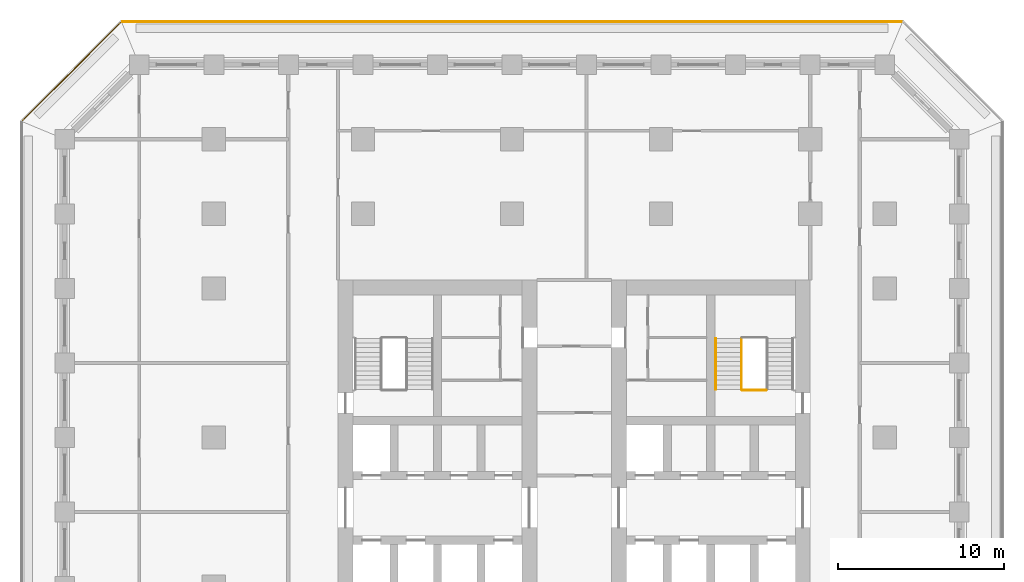
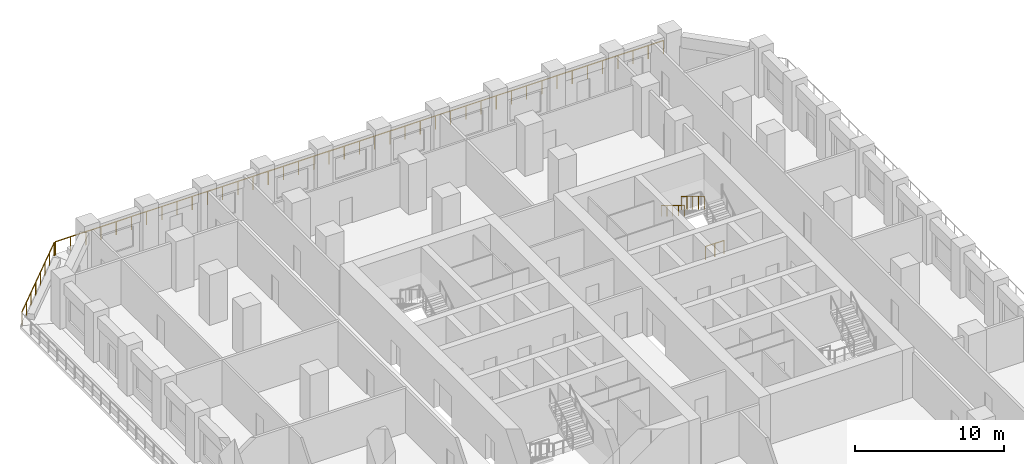
# One storey, part 14 of 16: 5 railings.
"""IFC4 building model written with IfcOpenShell, lengths in metres."""

import ifcopenshell
import ifcopenshell.guid

model = None  # the IFC model being written
_history = None  # IfcOwnerHistory: only IFC2X3 demands one
_inside = {}  # id of a spatial element -> (the spatial element, [elements in it])
_under = {}  # id of a project, library or spatial element -> (it, [spatial elements below it])
_declared = {}  # id of a project -> (the project, [libraries it declares])
_typed = {}  # id of a type object -> (the type object, [elements of that type])
_made_of = {}  # id of a material, layer set ... -> (it, [elements and type objects made of it])


def new_model(schema):
    """Start an empty IFC model of exactly this schema.

    Asked for "IFC4X3", IfcOpenShell would pick the latest addendum, in which some entities
    have other attributes; the version numbers below select the first issue.
    IFC2X3 requires an IfcOwnerHistory on every rooted entity: one is made here for all.
    """
    global model, _history
    if schema == "IFC4X3":
        model = ifcopenshell.file(schema_version=(4, 3, 0, 0))
    else:
        model = ifcopenshell.file(schema=schema)
    _inside.clear()
    _under.clear()
    _declared.clear()
    _typed.clear()
    _made_of.clear()
    _history = None
    if model.schema == "IFC2X3":
        org = make("IfcOrganization", Name="unknown")
        user = make(
            "IfcPersonAndOrganization",
            ThePerson=make("IfcPerson", FamilyName="unknown"),
            TheOrganization=org,
        )
        app = make(
            "IfcApplication",
            ApplicationDeveloper=org,
            Version="unknown",
            ApplicationFullName="unknown",
            ApplicationIdentifier="unknown",
        )
        _history = make(
            "IfcOwnerHistory",
            OwningUser=user,
            OwningApplication=app,
            ChangeAction="ADDED",
            CreationDate=0,
        )
    return model


def make(cls, **values):
    """One entity of the class cls with the attributes given. An attribute that is None is left unset."""
    return model.create_entity(
        cls, **{name: value for name, value in values.items() if value is not None}
    )


def rooted(cls, **values):
    """An entity with a GlobalId (a new one), such as an element, a storey or a relation."""
    return make(cls, GlobalId=ifcopenshell.guid.new(), OwnerHistory=_history, **values)


def si_unit(unit_type, name, prefix=None):
    """IfcSIUnit, for example si_unit("LENGTHUNIT", "METRE", prefix="MILLI")."""
    return make("IfcSIUnit", UnitType=unit_type, Prefix=prefix, Name=name)


def assignment(units):
    """IfcUnitAssignment: the units of a project."""
    return None if units is None else make("IfcUnitAssignment", Units=units)


def point(xyz):
    """IfcCartesianPoint."""
    return None if xyz is None else make("IfcCartesianPoint", Coordinates=xyz)


def direction(xyz):
    """IfcDirection."""
    return None if xyz is None else make("IfcDirection", DirectionRatios=xyz)


def frame(location, z_axis=None, x_axis=None):
    """IfcAxis2Placement3D, a coordinate frame: its origin and axes. An axis left out is left unset."""
    return make(
        "IfcAxis2Placement3D",
        Location=point(location),
        Axis=direction(z_axis),
        RefDirection=direction(x_axis),
    )


def frame_2d(location, x_axis=None):
    """IfcAxis2Placement2D, a coordinate frame in the plane: its origin and x axis."""
    return make(
        "IfcAxis2Placement2D", Location=point(location), RefDirection=direction(x_axis)
    )


def origin():
    """The frame at (0, 0, 0) with its axes left unset."""
    return frame((0.0, 0.0, 0.0))


def origin_2d():
    """The frame at (0, 0) in the plane with its x axis left unset."""
    return frame_2d((0.0, 0.0))


def place(relative_to, where):
    """IfcLocalPlacement: puts the frame where relative to a parent placement (None: the world)."""
    return make(
        "IfcLocalPlacement", PlacementRelTo=relative_to, RelativePlacement=where
    )


def context(
    kind, dimensions, precision=None, world=None, true_north=None, identifier=None
):
    """IfcGeometricRepresentationContext, for example the 3D "Model" context."""
    return make(
        "IfcGeometricRepresentationContext",
        ContextIdentifier=identifier,
        ContextType=kind,
        CoordinateSpaceDimension=dimensions,
        Precision=precision,
        WorldCoordinateSystem=world,
        TrueNorth=true_north,
    )


def subcontext(parent, identifier, kind, view, scale=None):
    """IfcGeometricRepresentationSubContext, for example "Body" below "Model"."""
    return make(
        "IfcGeometricRepresentationSubContext",
        ContextIdentifier=identifier,
        ContextType=kind,
        ParentContext=parent,
        TargetScale=scale,
        TargetView=view,
    )


def project(units=None, contexts=None):
    """IfcProject with its units and contexts."""
    return rooted(
        "IfcProject",
        Name="project",
        RepresentationContexts=contexts,
        UnitsInContext=assignment(units),
    )


def spatial(cls, under=None, at=None, **own):
    """A site, building, storey or space (cls), placed at a placement, below another one or the project."""
    s = rooted(cls, ObjectPlacement=at, **own)
    if under is not None:
        _under.setdefault(under.id(), (under, []))[1].append(s)
    return s


def profile(cls, at=None, kind="AREA", **sizes):
    """A parametric profile (cls). Its sizes go by their IFC names, for example OverallWidth=200.0."""
    return make(cls, ProfileType=kind, Position=at, **sizes)


def circle(**sizes):
    """IfcCircleProfileDef."""
    return profile("IfcCircleProfileDef", **sizes)


def extrude(swept, where, along, depth):
    """IfcExtrudedAreaSolid: the profile swept, set in the frame where, extruded along a direction by depth."""
    return make(
        "IfcExtrudedAreaSolid",
        SweptArea=swept,
        Position=where,
        ExtrudedDirection=direction(along),
        Depth=depth,
    )


def shape(context_of_items, identifier, shape_type, items):
    """IfcShapeRepresentation: the items that make up one representation, for example the "Body"."""
    return make(
        "IfcShapeRepresentation",
        ContextOfItems=context_of_items,
        RepresentationIdentifier=identifier,
        RepresentationType=shape_type,
        Items=items,
    )


def material(Name=None, Category=None):
    """IfcMaterial."""
    return make("IfcMaterial", Name=Name, Category=Category)


def made_of(thing, what):
    """Note that an element or type object is made of a material, layer set ...; save() writes the relation."""
    if what is not None:
        _made_of.setdefault(what.id(), (what, []))[1].append(thing)
    return thing


def type_object(cls, material=None, **own):
    """A type object (cls), such as IfcWallType, which elements share."""
    return made_of(rooted(cls, **own), material)


def element(
    cls,
    number,
    at=None,
    inside=None,
    cuts=None,
    type_object=None,
    material=None,
    context=None,
    identifier="Body",
    shape_type=None,
    held_by="IfcProductDefinitionShape",
    body=None,
    shapes=None,
    **own,
):
    """One element of the class cls, such as IfcWall. Its Tag is "e" and its number.

    at: its placement. inside: the storey or other place that contains it. cuts: it is an
    opening in that element (IfcRelVoidsElement). A single representation is given by context,
    identifier, shape_type and body (its items); several are given by shapes. held_by: the class
    of the entity that holds the representations. save() writes the other relations.
    """
    e = rooted(cls, Tag="e%d" % number, ObjectPlacement=at, **own)
    if body is not None:
        shapes = [shape(context, identifier, shape_type, body)]
    if shapes is not None:
        e.Representation = make(held_by, Representations=shapes)
    if inside is not None:
        _inside.setdefault(inside.id(), (inside, []))[1].append(e)
    if cuts is not None:
        rooted(
            "IfcRelVoidsElement", RelatingBuildingElement=cuts, RelatedOpeningElement=e
        )
    if type_object is not None:
        _typed.setdefault(type_object.id(), (type_object, []))[1].append(e)
    return made_of(e, material)


def aggregate(whole, parts):
    """IfcRelAggregates: a whole, such as a stair, and the parts it consists of."""
    return rooted("IfcRelAggregates", RelatingObject=whole, RelatedObjects=parts)


def save(model, path):
    """Write the relations noted so far, then the file.

    IfcRelAggregates (storeys below a building ...), IfcRelContainedInSpatialStructure (elements
    in a storey), IfcRelDefinesByType, IfcRelAssociatesMaterial and IfcRelDeclares: one each for
    every whole, place, type object, material and project.
    """
    for whole, parts in _under.values():
        aggregate(whole, parts)
    for where, things in _inside.values():
        rooted(
            "IfcRelContainedInSpatialStructure",
            RelatedElements=things,
            RelatingStructure=where,
        )
    for kind, things in _typed.values():
        rooted("IfcRelDefinesByType", RelatedObjects=things, RelatingType=kind)
    for what, things in _made_of.values():
        rooted("IfcRelAssociatesMaterial", RelatedObjects=things, RelatingMaterial=what)
    for by, libraries in _declared.values():
        rooted("IfcRelDeclares", RelatingContext=by, RelatedDefinitions=libraries)
    model.write(path)


model = new_model("IFC4")

# Units and contexts
model_context = context("Model", 3, precision=1e-05, world=origin(), true_north=direction((0.0, 1.0)))
body_context = subcontext(model_context, "Body", "Model", "MODEL_VIEW")
ifc_project = project(units=[si_unit("LENGTHUNIT", "METRE"), si_unit("AREAUNIT", "SQUARE_METRE"), si_unit("VOLUMEUNIT", "CUBIC_METRE"), si_unit("PLANEANGLEUNIT", "RADIAN"), si_unit("MASSUNIT", "GRAM", prefix="KILO")], contexts=[model_context])

# Site, building, storey
site_placement = place(None, origin())
site = spatial("IfcSite", under=ifc_project, at=site_placement, CompositionType="ELEMENT")
building_placement = place(site_placement, origin())
building = spatial("IfcBuilding", under=site, at=building_placement, Name="Corbel Stack Research Tower", CompositionType="ELEMENT")
storey_placement = place(building_placement, frame((0.0, 0.0, 137.199951171875)))
storey = spatial("IfcBuildingStorey", under=building, at=storey_placement, Name="L31", CompositionType="ELEMENT", Elevation=137.199951171875)

# Railings
ifc_material_1 = material(Name="Steel S355", Category="steel")
railing_type_1 = type_object("IfcRailingType", Name="Stair guard 1100", PredefinedType="GUARDRAIL", material=ifc_material_1)
railing_1_placement = place(storey_placement, frame((13.85009765625, 14.97998046875, 2.220947265625)))
element("IfcRailing", 1, at=railing_1_placement, inside=storey, type_object=railing_type_1, Name="L31 ST-E2 stair guard 4", PredefinedType="GUARDRAIL", context=body_context, shape_type="SweptSolid", body=[
    extrude(circle(Radius=0.02392578125, at=origin_2d()), frame((0.0, 0.0, 1.076171875), z_axis=(0.0, -0.853666305674, 0.52082035152), x_axis=(1.0, 0.0, 0.0)), (0.0, 0.0, 1.0), 3.608154296875),
    extrude(circle(Radius=0.02099609375, at=origin_2d()), origin(), (0.0, 0.0, 1.0), 1.052001953125),
    extrude(circle(Radius=0.02099609375, at=origin_2d()), frame((0.0, -0.77001953125, 0.4697265625)), (0.0, 0.0, 1.0), 1.052001953125),
    extrude(circle(Radius=0.02099609375, at=origin_2d()), frame((0.0, -1.5400390625, 0.939453125)), (0.0, 0.0, 1.0), 1.052001953125),
    extrude(circle(Radius=0.02099609375, at=origin_2d()), frame((0.0, -2.31005859375, 1.409423828125)), (0.0, 0.0, 1.0), 1.052001953125),
    extrude(circle(Radius=0.02099609375, at=origin_2d()), frame((0.0, -3.080078125, 1.879150390625)), (0.0, 0.0, 1.0), 1.052001953125),
])
railing_2_placement = place(storey_placement, frame((15.35009765625, 11.85009765625, 0.0)))
element("IfcRailing", 2, at=railing_2_placement, inside=storey, type_object=railing_type_1, Name="L31 ST-E2 stair guard 5", PredefinedType="GUARDRAIL", context=body_context, shape_type="SweptSolid", body=[
    extrude(circle(Radius=0.02392578125, at=origin_2d()), frame((0.0, 0.0, 1.076171875), z_axis=(-1.0, 0.0, 0.0), x_axis=(0.0, -1.0, 0.0)), (0.0, 0.0, 1.0), 1.4501953125),
    extrude(circle(Radius=0.02099609375, at=origin_2d()), origin(), (0.0, 0.0, 1.0), 1.052001953125),
    extrude(circle(Radius=0.02099609375, at=origin_2d()), frame((-0.72509765625, 0.0, 0.0)), (0.0, 0.0, 1.0), 1.052001953125),
    extrude(circle(Radius=0.02099609375, at=origin_2d()), frame((-1.4501953125, 0.0, 0.0)), (0.0, 0.0, 1.0), 1.052001953125),
])
ifc_material_2 = material(Name="Steel S355", Category="steel")
railing_type_2 = type_object("IfcRailingType", Name="Stair handrail 900", PredefinedType="HANDRAIL", material=ifc_material_2)
railing_3_placement = place(storey_placement, frame((12.300048828125, 14.97998046875, 2.220947265625)))
element("IfcRailing", 3, at=railing_3_placement, inside=storey, type_object=railing_type_2, Name="L31 ST-E2 stair handrail 2", PredefinedType="HANDRAIL", context=body_context, shape_type="SweptSolid", body=[
    extrude(circle(Radius=0.02392578125, at=origin_2d()), frame((0.0, 0.0, 0.8759765625), z_axis=(0.0, -0.853666305674, 0.52082035152), x_axis=(1.0, 0.0, 0.0)), (0.0, 0.0, 1.0), 3.608154296875),
    extrude(circle(Radius=0.02099609375, at=origin_2d()), origin(), (0.0, 0.0, 1.0), 0.851806640625),
    extrude(circle(Radius=0.02099609375, at=origin_2d()), frame((0.0, -0.77001953125, 0.4697265625)), (0.0, 0.0, 1.0), 0.851806640625),
    extrude(circle(Radius=0.02099609375, at=origin_2d()), frame((0.0, -1.5400390625, 0.939453125)), (0.0, 0.0, 1.0), 0.851806640625),
    extrude(circle(Radius=0.02099609375, at=origin_2d()), frame((0.0, -2.31005859375, 1.409423828125)), (0.0, 0.0, 1.0), 0.851806640625),
    extrude(circle(Radius=0.02099609375, at=origin_2d()), frame((0.0, -3.080078125, 1.879150390625)), (0.0, 0.0, 1.0), 0.851806640625),
])
ifc_material_3 = material(Name="Powder-coated steel guard", Category="steel")
railing_type_3 = type_object("IfcRailingType", Name="Steel and glass guard 1100", PredefinedType="GUARDRAIL", material=ifc_material_3)
railing_4_placement = place(storey_placement, frame((23.50537109375, 34.10009765625, 0.0)))
element("IfcRailing", 4, at=railing_4_placement, inside=storey, type_object=railing_type_3, Name="Loggia guard L31 N", PredefinedType="GUARDRAIL", context=body_context, shape_type="SweptSolid", body=[
    extrude(circle(Radius=0.02392578125, at=origin_2d()), frame((0.0, 0.0, 1.076171875), z_axis=(-1.0, 0.0, 0.0), x_axis=(0.0, -1.0, 0.0)), (0.0, 0.0, 1.0), 47.0107421875),
    extrude(circle(Radius=0.02099609375, at=origin_2d()), origin(), (0.0, 0.0, 1.0), 1.052001953125),
    extrude(circle(Radius=0.02099609375, at=origin_2d()), frame((-1.17529296875, 0.0, 0.0)), (0.0, 0.0, 1.0), 1.052001953125),
    extrude(circle(Radius=0.02099609375, at=origin_2d()), frame((-2.3505859375, 0.0, 0.0)), (0.0, 0.0, 1.0), 1.052001953125),
    extrude(circle(Radius=0.02099609375, at=origin_2d()), frame((-3.52587890625, 0.0, 0.0)), (0.0, 0.0, 1.0), 1.052001953125),
    extrude(circle(Radius=0.02099609375, at=origin_2d()), frame((-4.701171875, 0.0, 0.0)), (0.0, 0.0, 1.0), 1.052001953125),
    extrude(circle(Radius=0.02099609375, at=origin_2d()), frame((-5.87646484375, 0.0, 0.0)), (0.0, 0.0, 1.0), 1.052001953125),
    extrude(circle(Radius=0.02099609375, at=origin_2d()), frame((-7.051513671875, 0.0, 0.0)), (0.0, 0.0, 1.0), 1.052001953125),
    extrude(circle(Radius=0.02099609375, at=origin_2d()), frame((-8.226806640625, 0.0, 0.0)), (0.0, 0.0, 1.0), 1.052001953125),
    extrude(circle(Radius=0.02099609375, at=origin_2d()), frame((-9.402099609375, 0.0, 0.0)), (0.0, 0.0, 1.0), 1.052001953125),
    extrude(circle(Radius=0.02099609375, at=origin_2d()), frame((-10.577392578125, 0.0, 0.0)), (0.0, 0.0, 1.0), 1.052001953125),
    extrude(circle(Radius=0.02099609375, at=origin_2d()), frame((-11.752685546875, 0.0, 0.0)), (0.0, 0.0, 1.0), 1.052001953125),
    extrude(circle(Radius=0.02099609375, at=origin_2d()), frame((-12.927978515625, 0.0, 0.0)), (0.0, 0.0, 1.0), 1.052001953125),
    extrude(circle(Radius=0.02099609375, at=origin_2d()), frame((-14.103271484375, 0.0, 0.0)), (0.0, 0.0, 1.0), 1.052001953125),
    extrude(circle(Radius=0.02099609375, at=origin_2d()), frame((-15.278564453125, 0.0, 0.0)), (0.0, 0.0, 1.0), 1.052001953125),
    extrude(circle(Radius=0.02099609375, at=origin_2d()), frame((-16.453857421875, 0.0, 0.0)), (0.0, 0.0, 1.0), 1.052001953125),
    extrude(circle(Radius=0.02099609375, at=origin_2d()), frame((-17.62890625, 0.0, 0.0)), (0.0, 0.0, 1.0), 1.052001953125),
    extrude(circle(Radius=0.02099609375, at=origin_2d()), frame((-18.80419921875, 0.0, 0.0)), (0.0, 0.0, 1.0), 1.052001953125),
    extrude(circle(Radius=0.02099609375, at=origin_2d()), frame((-19.9794921875, 0.0, 0.0)), (0.0, 0.0, 1.0), 1.052001953125),
    extrude(circle(Radius=0.02099609375, at=origin_2d()), frame((-21.15478515625, 0.0, 0.0)), (0.0, 0.0, 1.0), 1.052001953125),
    extrude(circle(Radius=0.02099609375, at=origin_2d()), frame((-22.330078125, 0.0, 0.0)), (0.0, 0.0, 1.0), 1.052001953125),
    extrude(circle(Radius=0.02099609375, at=origin_2d()), frame((-23.50537109375, 0.0, 0.0)), (0.0, 0.0, 1.0), 1.052001953125),
    extrude(circle(Radius=0.02099609375, at=origin_2d()), frame((-24.6806640625, 0.0, 0.0)), (0.0, 0.0, 1.0), 1.052001953125),
    extrude(circle(Radius=0.02099609375, at=origin_2d()), frame((-25.85595703125, 0.0, 0.0)), (0.0, 0.0, 1.0), 1.052001953125),
    extrude(circle(Radius=0.02099609375, at=origin_2d()), frame((-27.03125, 0.0, 0.0)), (0.0, 0.0, 1.0), 1.052001953125),
    extrude(circle(Radius=0.02099609375, at=origin_2d()), frame((-28.20654296875, 0.0, 0.0)), (0.0, 0.0, 1.0), 1.052001953125),
    extrude(circle(Radius=0.02099609375, at=origin_2d()), frame((-29.3818359375, 0.0, 0.0)), (0.0, 0.0, 1.0), 1.052001953125),
    extrude(circle(Radius=0.02099609375, at=origin_2d()), frame((-30.556884765625, 0.0, 0.0)), (0.0, 0.0, 1.0), 1.052001953125),
    extrude(circle(Radius=0.02099609375, at=origin_2d()), frame((-31.732177734375, 0.0, 0.0)), (0.0, 0.0, 1.0), 1.052001953125),
    extrude(circle(Radius=0.02099609375, at=origin_2d()), frame((-32.907470703125, 0.0, 0.0)), (0.0, 0.0, 1.0), 1.052001953125),
    extrude(circle(Radius=0.02099609375, at=origin_2d()), frame((-34.082763671875, 0.0, 0.0)), (0.0, 0.0, 1.0), 1.052001953125),
    extrude(circle(Radius=0.02099609375, at=origin_2d()), frame((-35.258056640625, 0.0, 0.0)), (0.0, 0.0, 1.0), 1.052001953125),
    extrude(circle(Radius=0.02099609375, at=origin_2d()), frame((-36.433349609375, 0.0, 0.0)), (0.0, 0.0, 1.0), 1.052001953125),
    extrude(circle(Radius=0.02099609375, at=origin_2d()), frame((-37.608642578125, 0.0, 0.0)), (0.0, 0.0, 1.0), 1.052001953125),
    extrude(circle(Radius=0.02099609375, at=origin_2d()), frame((-38.783935546875, 0.0, 0.0)), (0.0, 0.0, 1.0), 1.052001953125),
    extrude(circle(Radius=0.02099609375, at=origin_2d()), frame((-39.959228515625, 0.0, 0.0)), (0.0, 0.0, 1.0), 1.052001953125),
    extrude(circle(Radius=0.02099609375, at=origin_2d()), frame((-41.13427734375, 0.0, 0.0)), (0.0, 0.0, 1.0), 1.052001953125),
    extrude(circle(Radius=0.02099609375, at=origin_2d()), frame((-42.3095703125, 0.0, 0.0)), (0.0, 0.0, 1.0), 1.052001953125),
    extrude(circle(Radius=0.02099609375, at=origin_2d()), frame((-43.48486328125, 0.0, 0.0)), (0.0, 0.0, 1.0), 1.052001953125),
    extrude(circle(Radius=0.02099609375, at=origin_2d()), frame((-44.66015625, 0.0, 0.0)), (0.0, 0.0, 1.0), 1.052001953125),
    extrude(circle(Radius=0.02099609375, at=origin_2d()), frame((-45.83544921875, 0.0, 0.0)), (0.0, 0.0, 1.0), 1.052001953125),
    extrude(circle(Radius=0.02099609375, at=origin_2d()), frame((-47.0107421875, 0.0, 0.0)), (0.0, 0.0, 1.0), 1.052001953125),
])
railing_5_placement = place(storey_placement, frame((-23.627685546875, 34.04931640625, 0.0)))
element("IfcRailing", 5, at=railing_5_placement, inside=storey, type_object=railing_type_3, Name="Loggia guard L31 NW", PredefinedType="GUARDRAIL", context=body_context, shape_type="SweptSolid", body=[
    extrude(circle(Radius=0.02392578125, at=origin_2d()), frame((0.0, 0.0, 1.076171875), z_axis=(-0.707106781187, -0.707106781187, 0.0), x_axis=(0.707106781187, -0.707106781187, 0.0)), (0.0, 0.0, 1.0), 8.37451171875),
    extrude(circle(Radius=0.02099609375, at=origin_2d()), origin(), (0.0, 0.0, 1.0), 1.052001953125),
    extrude(circle(Radius=0.02099609375, at=origin_2d()), frame((-0.845947265625, -0.845947265625, 0.0)), (0.0, 0.0, 1.0), 1.052001953125),
    extrude(circle(Radius=0.02099609375, at=origin_2d()), frame((-1.69189453125, -1.69189453125, 0.0)), (0.0, 0.0, 1.0), 1.052001953125),
    extrude(circle(Radius=0.02099609375, at=origin_2d()), frame((-2.537841796875, -2.537841796875, 0.0)), (0.0, 0.0, 1.0), 1.052001953125),
    extrude(circle(Radius=0.02099609375, at=origin_2d()), frame((-3.3837890625, -3.3837890625, 0.0)), (0.0, 0.0, 1.0), 1.052001953125),
    extrude(circle(Radius=0.02099609375, at=origin_2d()), frame((-4.229736328125, -4.229736328125, 0.0)), (0.0, 0.0, 1.0), 1.052001953125),
    extrude(circle(Radius=0.02099609375, at=origin_2d()), frame((-5.07568359375, -5.07568359375, 0.0)), (0.0, 0.0, 1.0), 1.052001953125),
    extrude(circle(Radius=0.02099609375, at=origin_2d()), frame((-5.921630859375, -5.921630859375, 0.0)), (0.0, 0.0, 1.0), 1.052001953125),
])

save(model, "model.ifc")
